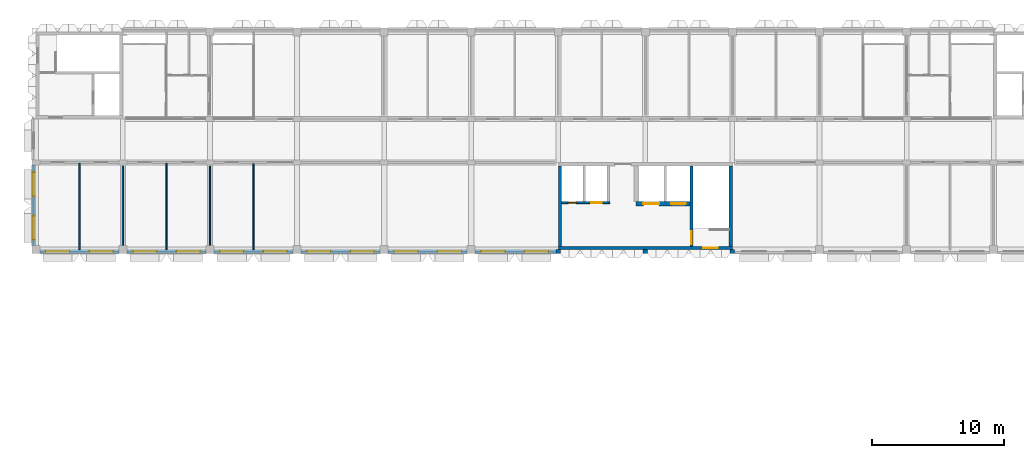
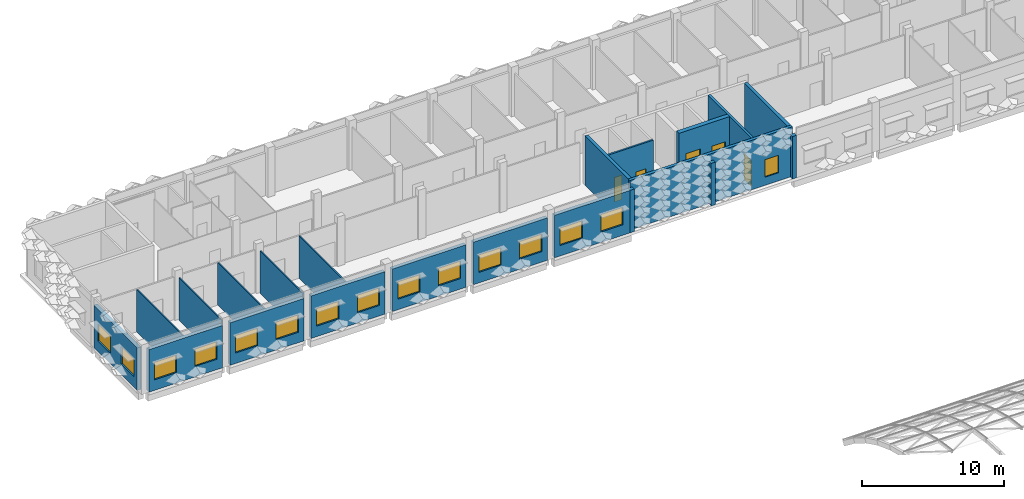
# One storey, part 31 of 85: 21 walls, 15 windows, 5 doors, 20 openings.
"""IFC4 building model written with IfcOpenShell, lengths in metres."""

from ifc_helpers import new_model, si_unit, direction, frame, frame_2d, origin, place, context, subcontext, project, spatial, rectangle, extrude, material, layer, layer_set, type_object, element, fill, save


model = new_model("IFC4")

# Units and contexts
model_context = context("Model", 3, precision=1e-05, world=origin(), true_north=direction((0.0, 1.0)))
body_context = subcontext(model_context, "Body", "Model", "MODEL_VIEW")
ifc_project = project(units=[si_unit("LENGTHUNIT", "METRE"), si_unit("AREAUNIT", "SQUARE_METRE"), si_unit("VOLUMEUNIT", "CUBIC_METRE"), si_unit("PLANEANGLEUNIT", "RADIAN"), si_unit("MASSUNIT", "GRAM", prefix="KILO")], contexts=[model_context])

# Site, building, storey
site_placement = place(None, origin())
site = spatial("IfcSite", under=ifc_project, at=site_placement, CompositionType="ELEMENT")
building_placement = place(site_placement, origin())
building = spatial("IfcBuilding", under=site, at=building_placement, Name="Lantern Court Research Institute", CompositionType="ELEMENT")
storey_placement = place(building_placement, frame((0.0, 0.0, 18.89990234375)))
storey = spatial("IfcBuildingStorey", under=building, at=storey_placement, Name="L04", CompositionType="ELEMENT", Elevation=18.89990234375)

# Walls
ifc_material_1 = material(Name="Concrete C30/37", Category="concrete")
ifc_layer_1 = layer(ifc_material_1, 0.300048828125)
ifc_layer_set_1 = layer_set([ifc_layer_1], Name="Concrete C30/37")
wall_type_1 = type_object("IfcWallType", Name="Insulated concrete infill wall 300", PredefinedType="STANDARD", material=ifc_layer_set_1)
wall_1_placement = place(storey_placement, frame((39.77490234375, 82.35009765625, 0.0), z_axis=(0.0, 0.0, 1.0), x_axis=(-1.0, 0.0, 0.0)))
element("IfcWall", 1, at=wall_1_placement, inside=storey, type_object=wall_type_1, Name="Exterior wall EW215", PredefinedType="STANDARD", context=body_context, shape_type="SweptSolid", body=[
    extrude(rectangle(XDim=0.349853515625, YDim=0.300048828125, at=frame_2d((0.1748046875, 0.0))), origin(), (0.0, 0.0, 1.0), 3.650146484375),
])
for number, where, z_axis, x_axis, name in (
    (2, (46.375, 82.35009765625, 0.0), (0.0, 0.0, 1.0), (-1.0, 0.0, 0.0), "Exterior wall EW216"),
    (3, (52.97509765625, 82.35009765625, 0.0), (0.0, 0.0, 1.0), (-1.0, 0.0, 0.0), "Exterior wall EW217"),
):
    element("IfcWall", number, at=place(storey_placement, frame(where, z_axis=z_axis, x_axis=x_axis)), inside=storey, type_object=wall_type_1, Name=name, PredefinedType="STANDARD", context=body_context, shape_type="SweptSolid", body=[
        extrude(rectangle(XDim=0.35009765625, YDim=0.300048828125, at=frame_2d((0.175048828125, 0.0))), origin(), (0.0, 0.0, 1.0), 3.650146484375),
    ])

# Wall, openings, windows
wall_2_placement = place(storey_placement, frame((6.300048828125, 82.35009765625, 0.0), z_axis=(0.0, 0.0, 1.0), x_axis=(-1.0, 0.0, 0.0)))
wall_2 = element("IfcWall", 4, at=wall_2_placement, inside=storey, type_object=wall_type_1, Name="Exterior wall EW218", PredefinedType="STANDARD", context=body_context, shape_type="SweptSolid", body=[
    extrude(rectangle(XDim=6.0, YDim=0.300048828125, at=frame_2d((3.0, 0.0))), origin(), (0.0, 0.0, 1.0), 3.650146484375),
])
opening_1_placement = place(wall_2_placement, frame((3.75, 0.0, 0.89990234375)))
opening_1 = element("IfcOpeningElement", 5, at=opening_1_placement, cuts=wall_2, Name="Opening W14", PredefinedType="OPENING", context=body_context, shape_type="SweptSolid", body=[
    extrude(rectangle(XDim=1.800048828125, YDim=1.5, at=frame_2d((0.89990234375, 0.75))), frame((0.0, 0.159912109375, 0.0), z_axis=(0.0, -1.0, 0.0), x_axis=(1.0, 0.0, 0.0)), (0.0, 0.0, 1.0), 0.320068359375),
])
opening_2_placement = place(wall_2_placement, frame((0.449951171875, 0.0, 0.89990234375)))
opening_2 = element("IfcOpeningElement", 6, at=opening_2_placement, cuts=wall_2, Name="Opening W14", PredefinedType="OPENING", context=body_context, shape_type="SweptSolid", body=[
    extrude(rectangle(XDim=1.800048828125, YDim=1.5, at=frame_2d((0.89990234375, 0.75))), frame((0.0, 0.159912109375, 0.0), z_axis=(0.0, -1.0, 0.0), x_axis=(1.0, 0.0, 0.0)), (0.0, 0.0, 1.0), 0.320068359375),
])
ifc_material_2 = material(Name="Aluminium frame with laminated low-emissivity glazing", Category="aluminium")
window_type_1 = type_object("IfcWindowType", Name="Office window 1800 x 1500", PartitioningType="SINGLE_PANEL", PredefinedType="WINDOW", material=ifc_material_2)
window_1_placement = place(opening_1_placement, origin())
window_1 = element("IfcWindow", 7, at=window_1_placement, inside=storey, type_object=window_type_1, Name="Window W14 V6S L04", OverallHeight=1.5, OverallWidth=1.800048828125, PartitioningType="SINGLE_PANEL", PredefinedType="WINDOW", context=body_context, shape_type="SweptSolid", body=[
    extrude(rectangle(XDim=1.800048828125, YDim=1.5, at=frame_2d((0.89990234375, 0.75))), frame((0.0, 0.030029296875, 0.0), z_axis=(0.0, -1.0, 0.0), x_axis=(1.0, 0.0, 0.0)), (0.0, 0.0, 1.0), 0.06005859375),
])
fill(opening_1, window_1)
window_2_placement = place(opening_2_placement, origin())
window_2 = element("IfcWindow", 8, at=window_2_placement, inside=storey, type_object=window_type_1, Name="Window W14 V6S L04", OverallHeight=1.5, OverallWidth=1.800048828125, PartitioningType="SINGLE_PANEL", PredefinedType="WINDOW", context=body_context, shape_type="SweptSolid", body=[
    extrude(rectangle(XDim=1.800048828125, YDim=1.5, at=frame_2d((0.89990234375, 0.75))), frame((0.0, 0.030029296875, 0.0), z_axis=(0.0, -1.0, 0.0), x_axis=(1.0, 0.0, 0.0)), (0.0, 0.0, 1.0), 0.06005859375),
])
fill(opening_2, window_2)

wall_3_placement = place(storey_placement, frame((12.89990234375, 82.35009765625, 0.0), z_axis=(0.0, 0.0, 1.0), x_axis=(-1.0, 0.0, 0.0)))
wall_3 = element("IfcWall", 9, at=wall_3_placement, inside=storey, type_object=wall_type_1, Name="Exterior wall EW219", PredefinedType="STANDARD", context=body_context, shape_type="SweptSolid", body=[
    extrude(rectangle(XDim=6.0, YDim=0.300048828125, at=frame_2d((3.0, 0.0))), origin(), (0.0, 0.0, 1.0), 3.650146484375),
])
opening_3_placement = place(wall_3_placement, frame((3.75, 0.0, 0.89990234375)))
opening_3 = element("IfcOpeningElement", 10, at=opening_3_placement, cuts=wall_3, Name="Opening W14", PredefinedType="OPENING", context=body_context, shape_type="SweptSolid", body=[
    extrude(rectangle(XDim=1.800048828125, YDim=1.5, at=frame_2d((0.89990234375, 0.75))), frame((0.0, 0.159912109375, 0.0), z_axis=(0.0, -1.0, 0.0), x_axis=(1.0, 0.0, 0.0)), (0.0, 0.0, 1.0), 0.320068359375),
])
opening_4_placement = place(wall_3_placement, frame((0.449951171875, 0.0, 0.89990234375)))
opening_4 = element("IfcOpeningElement", 11, at=opening_4_placement, cuts=wall_3, Name="Opening W14", PredefinedType="OPENING", context=body_context, shape_type="SweptSolid", body=[
    extrude(rectangle(XDim=1.800048828125, YDim=1.5, at=frame_2d((0.89990234375, 0.75))), frame((0.0, 0.159912109375, 0.0), z_axis=(0.0, -1.0, 0.0), x_axis=(1.0, 0.0, 0.0)), (0.0, 0.0, 1.0), 0.320068359375),
])
window_3_placement = place(opening_3_placement, origin())
window_3 = element("IfcWindow", 12, at=window_3_placement, inside=storey, type_object=window_type_1, Name="Window W14 V6S L04", OverallHeight=1.5, OverallWidth=1.800048828125, PartitioningType="SINGLE_PANEL", PredefinedType="WINDOW", context=body_context, shape_type="SweptSolid", body=[
    extrude(rectangle(XDim=1.800048828125, YDim=1.5, at=frame_2d((0.89990234375, 0.75))), frame((0.0, 0.030029296875, 0.0), z_axis=(0.0, -1.0, 0.0), x_axis=(1.0, 0.0, 0.0)), (0.0, 0.0, 1.0), 0.06005859375),
])
fill(opening_3, window_3)
window_4_placement = place(opening_4_placement, origin())
window_4 = element("IfcWindow", 13, at=window_4_placement, inside=storey, type_object=window_type_1, Name="Window W14 V6S L04", OverallHeight=1.5, OverallWidth=1.800048828125, PartitioningType="SINGLE_PANEL", PredefinedType="WINDOW", context=body_context, shape_type="SweptSolid", body=[
    extrude(rectangle(XDim=1.800048828125, YDim=1.5, at=frame_2d((0.89990234375, 0.75))), frame((0.0, 0.030029296875, 0.0), z_axis=(0.0, -1.0, 0.0), x_axis=(1.0, 0.0, 0.0)), (0.0, 0.0, 1.0), 0.06005859375),
])
fill(opening_4, window_4)

wall_4_placement = place(storey_placement, frame((19.5, 82.35009765625, 0.0), z_axis=(0.0, 0.0, 1.0), x_axis=(-1.0, 0.0, 0.0)))
wall_4 = element("IfcWall", 14, at=wall_4_placement, inside=storey, type_object=wall_type_1, Name="Exterior wall EW220", PredefinedType="STANDARD", context=body_context, shape_type="SweptSolid", body=[
    extrude(rectangle(XDim=6.0, YDim=0.300048828125, at=frame_2d((3.0, 0.0))), origin(), (0.0, 0.0, 1.0), 3.650146484375),
])
opening_5_placement = place(wall_4_placement, frame((3.75, 0.0, 0.89990234375)))
opening_5 = element("IfcOpeningElement", 15, at=opening_5_placement, cuts=wall_4, Name="Opening W14", PredefinedType="OPENING", context=body_context, shape_type="SweptSolid", body=[
    extrude(rectangle(XDim=1.800048828125, YDim=1.5, at=frame_2d((0.89990234375, 0.75))), frame((0.0, 0.159912109375, 0.0), z_axis=(0.0, -1.0, 0.0), x_axis=(1.0, 0.0, 0.0)), (0.0, 0.0, 1.0), 0.320068359375),
])
opening_6_placement = place(wall_4_placement, frame((0.449951171875, 0.0, 0.89990234375)))
opening_6 = element("IfcOpeningElement", 16, at=opening_6_placement, cuts=wall_4, Name="Opening W14", PredefinedType="OPENING", context=body_context, shape_type="SweptSolid", body=[
    extrude(rectangle(XDim=1.800048828125, YDim=1.5, at=frame_2d((0.89990234375, 0.75))), frame((0.0, 0.159912109375, 0.0), z_axis=(0.0, -1.0, 0.0), x_axis=(1.0, 0.0, 0.0)), (0.0, 0.0, 1.0), 0.320068359375),
])
window_5_placement = place(opening_5_placement, origin())
window_5 = element("IfcWindow", 17, at=window_5_placement, inside=storey, type_object=window_type_1, Name="Window W14 V6S L04", OverallHeight=1.5, OverallWidth=1.800048828125, PartitioningType="SINGLE_PANEL", PredefinedType="WINDOW", context=body_context, shape_type="SweptSolid", body=[
    extrude(rectangle(XDim=1.800048828125, YDim=1.5, at=frame_2d((0.89990234375, 0.75))), frame((0.0, 0.030029296875, 0.0), z_axis=(0.0, -1.0, 0.0), x_axis=(1.0, 0.0, 0.0)), (0.0, 0.0, 1.0), 0.06005859375),
])
fill(opening_5, window_5)
window_6_placement = place(opening_6_placement, origin())
window_6 = element("IfcWindow", 18, at=window_6_placement, inside=storey, type_object=window_type_1, Name="Window W14 V6S L04", OverallHeight=1.5, OverallWidth=1.800048828125, PartitioningType="SINGLE_PANEL", PredefinedType="WINDOW", context=body_context, shape_type="SweptSolid", body=[
    extrude(rectangle(XDim=1.800048828125, YDim=1.5, at=frame_2d((0.89990234375, 0.75))), frame((0.0, 0.030029296875, 0.0), z_axis=(0.0, -1.0, 0.0), x_axis=(1.0, 0.0, 0.0)), (0.0, 0.0, 1.0), 0.06005859375),
])
fill(opening_6, window_6)

wall_5_placement = place(storey_placement, frame((26.10009765625, 82.35009765625, 0.0), z_axis=(0.0, 0.0, 1.0), x_axis=(-1.0, 0.0, 0.0)))
wall_5 = element("IfcWall", 19, at=wall_5_placement, inside=storey, type_object=wall_type_1, Name="Exterior wall EW221", PredefinedType="STANDARD", context=body_context, shape_type="SweptSolid", body=[
    extrude(rectangle(XDim=6.0, YDim=0.300048828125, at=frame_2d((3.0, 0.0))), origin(), (0.0, 0.0, 1.0), 3.650146484375),
])
opening_7_placement = place(wall_5_placement, frame((3.75, 0.0, 0.89990234375)))
opening_7 = element("IfcOpeningElement", 20, at=opening_7_placement, cuts=wall_5, Name="Opening W14", PredefinedType="OPENING", context=body_context, shape_type="SweptSolid", body=[
    extrude(rectangle(XDim=1.800048828125, YDim=1.5, at=frame_2d((0.89990234375, 0.75))), frame((0.0, 0.159912109375, 0.0), z_axis=(0.0, -1.0, 0.0), x_axis=(1.0, 0.0, 0.0)), (0.0, 0.0, 1.0), 0.320068359375),
])
opening_8_placement = place(wall_5_placement, frame((0.449951171875, 0.0, 0.89990234375)))
opening_8 = element("IfcOpeningElement", 21, at=opening_8_placement, cuts=wall_5, Name="Opening W14", PredefinedType="OPENING", context=body_context, shape_type="SweptSolid", body=[
    extrude(rectangle(XDim=1.800048828125, YDim=1.5, at=frame_2d((0.89990234375, 0.75))), frame((0.0, 0.159912109375, 0.0), z_axis=(0.0, -1.0, 0.0), x_axis=(1.0, 0.0, 0.0)), (0.0, 0.0, 1.0), 0.320068359375),
])
window_7_placement = place(opening_7_placement, origin())
window_7 = element("IfcWindow", 22, at=window_7_placement, inside=storey, type_object=window_type_1, Name="Window W14 V6S L04", OverallHeight=1.5, OverallWidth=1.800048828125, PartitioningType="SINGLE_PANEL", PredefinedType="WINDOW", context=body_context, shape_type="SweptSolid", body=[
    extrude(rectangle(XDim=1.800048828125, YDim=1.5, at=frame_2d((0.89990234375, 0.75))), frame((0.0, 0.030029296875, 0.0), z_axis=(0.0, -1.0, 0.0), x_axis=(1.0, 0.0, 0.0)), (0.0, 0.0, 1.0), 0.06005859375),
])
fill(opening_7, window_7)
window_8_placement = place(opening_8_placement, origin())
window_8 = element("IfcWindow", 23, at=window_8_placement, inside=storey, type_object=window_type_1, Name="Window W14 V6S L04", OverallHeight=1.5, OverallWidth=1.800048828125, PartitioningType="SINGLE_PANEL", PredefinedType="WINDOW", context=body_context, shape_type="SweptSolid", body=[
    extrude(rectangle(XDim=1.800048828125, YDim=1.5, at=frame_2d((0.89990234375, 0.75))), frame((0.0, 0.030029296875, 0.0), z_axis=(0.0, -1.0, 0.0), x_axis=(1.0, 0.0, 0.0)), (0.0, 0.0, 1.0), 0.06005859375),
])
fill(opening_8, window_8)

wall_6_placement = place(storey_placement, frame((32.699951171875, 82.35009765625, 0.0), z_axis=(0.0, 0.0, 1.0), x_axis=(-1.0, 0.0, 0.0)))
wall_6 = element("IfcWall", 24, at=wall_6_placement, inside=storey, type_object=wall_type_1, Name="Exterior wall EW222", PredefinedType="STANDARD", context=body_context, shape_type="SweptSolid", body=[
    extrude(rectangle(XDim=6.0, YDim=0.300048828125, at=frame_2d((3.0, 0.0))), origin(), (0.0, 0.0, 1.0), 3.650146484375),
])
opening_9_placement = place(wall_6_placement, frame((3.75, 0.0, 0.89990234375)))
opening_9 = element("IfcOpeningElement", 25, at=opening_9_placement, cuts=wall_6, Name="Opening W14", PredefinedType="OPENING", context=body_context, shape_type="SweptSolid", body=[
    extrude(rectangle(XDim=1.800048828125, YDim=1.5, at=frame_2d((0.89990234375, 0.75))), frame((0.0, 0.159912109375, 0.0), z_axis=(0.0, -1.0, 0.0), x_axis=(1.0, 0.0, 0.0)), (0.0, 0.0, 1.0), 0.320068359375),
])
opening_10_placement = place(wall_6_placement, frame((0.449951171875, 0.0, 0.89990234375)))
opening_10 = element("IfcOpeningElement", 26, at=opening_10_placement, cuts=wall_6, Name="Opening W14", PredefinedType="OPENING", context=body_context, shape_type="SweptSolid", body=[
    extrude(rectangle(XDim=1.800048828125, YDim=1.5, at=frame_2d((0.89990234375, 0.75))), frame((0.0, 0.159912109375, 0.0), z_axis=(0.0, -1.0, 0.0), x_axis=(1.0, 0.0, 0.0)), (0.0, 0.0, 1.0), 0.320068359375),
])
window_9_placement = place(opening_9_placement, origin())
window_9 = element("IfcWindow", 27, at=window_9_placement, inside=storey, type_object=window_type_1, Name="Window W14 V6S L04", OverallHeight=1.5, OverallWidth=1.800048828125, PartitioningType="SINGLE_PANEL", PredefinedType="WINDOW", context=body_context, shape_type="SweptSolid", body=[
    extrude(rectangle(XDim=1.800048828125, YDim=1.5, at=frame_2d((0.89990234375, 0.75))), frame((0.0, 0.030029296875, 0.0), z_axis=(0.0, -1.0, 0.0), x_axis=(1.0, 0.0, 0.0)), (0.0, 0.0, 1.0), 0.06005859375),
])
fill(opening_9, window_9)
window_10_placement = place(opening_10_placement, origin())
window_10 = element("IfcWindow", 28, at=window_10_placement, inside=storey, type_object=window_type_1, Name="Window W14 V6S L04", OverallHeight=1.5, OverallWidth=1.800048828125, PartitioningType="SINGLE_PANEL", PredefinedType="WINDOW", context=body_context, shape_type="SweptSolid", body=[
    extrude(rectangle(XDim=1.800048828125, YDim=1.5, at=frame_2d((0.89990234375, 0.75))), frame((0.0, 0.030029296875, 0.0), z_axis=(0.0, -1.0, 0.0), x_axis=(1.0, 0.0, 0.0)), (0.0, 0.0, 1.0), 0.06005859375),
])
fill(opening_10, window_10)

wall_7_placement = place(storey_placement, frame((39.425048828125, 82.35009765625, 0.0), z_axis=(0.0, 0.0, 1.0), x_axis=(-1.0, 0.0, 0.0)))
wall_7 = element("IfcWall", 29, at=wall_7_placement, inside=storey, type_object=wall_type_1, Name="Exterior wall EW223", PredefinedType="STANDARD", context=body_context, shape_type="SweptSolid", body=[
    extrude(rectangle(XDim=6.125, YDim=0.300048828125, at=frame_2d((3.0625, 0.0))), origin(), (0.0, 0.0, 1.0), 3.650146484375),
])
opening_11_placement = place(wall_7_placement, frame((3.875, 0.0, 0.89990234375)))
opening_11 = element("IfcOpeningElement", 30, at=opening_11_placement, cuts=wall_7, Name="Opening W14", PredefinedType="OPENING", context=body_context, shape_type="SweptSolid", body=[
    extrude(rectangle(XDim=1.800048828125, YDim=1.5, at=frame_2d((0.89990234375, 0.75))), frame((0.0, 0.159912109375, 0.0), z_axis=(0.0, -1.0, 0.0), x_axis=(1.0, 0.0, 0.0)), (0.0, 0.0, 1.0), 0.320068359375),
])
opening_12_placement = place(wall_7_placement, frame((0.574951171875, 0.0, 0.89990234375)))
opening_12 = element("IfcOpeningElement", 31, at=opening_12_placement, cuts=wall_7, Name="Opening W14", PredefinedType="OPENING", context=body_context, shape_type="SweptSolid", body=[
    extrude(rectangle(XDim=1.800048828125, YDim=1.5, at=frame_2d((0.89990234375, 0.75))), frame((0.0, 0.159912109375, 0.0), z_axis=(0.0, -1.0, 0.0), x_axis=(1.0, 0.0, 0.0)), (0.0, 0.0, 1.0), 0.320068359375),
])
window_11_placement = place(opening_11_placement, origin())
window_11 = element("IfcWindow", 32, at=window_11_placement, inside=storey, type_object=window_type_1, Name="Window W14 V6S L04", OverallHeight=1.5, OverallWidth=1.800048828125, PartitioningType="SINGLE_PANEL", PredefinedType="WINDOW", context=body_context, shape_type="SweptSolid", body=[
    extrude(rectangle(XDim=1.800048828125, YDim=1.5, at=frame_2d((0.89990234375, 0.75))), frame((0.0, 0.030029296875, 0.0), z_axis=(0.0, -1.0, 0.0), x_axis=(1.0, 0.0, 0.0)), (0.0, 0.0, 1.0), 0.06005859375),
])
fill(opening_11, window_11)
window_12_placement = place(opening_12_placement, origin())
window_12 = element("IfcWindow", 33, at=window_12_placement, inside=storey, type_object=window_type_1, Name="Window W14 V6S L04", OverallHeight=1.5, OverallWidth=1.800048828125, PartitioningType="SINGLE_PANEL", PredefinedType="WINDOW", context=body_context, shape_type="SweptSolid", body=[
    extrude(rectangle(XDim=1.800048828125, YDim=1.5, at=frame_2d((0.89990234375, 0.75))), frame((0.0, 0.030029296875, 0.0), z_axis=(0.0, -1.0, 0.0), x_axis=(1.0, 0.0, 0.0)), (0.0, 0.0, 1.0), 0.06005859375),
])
fill(opening_12, window_12)

wall_8_placement = place(storey_placement, frame((-0.14990234375, 82.800048828125, 0.0), z_axis=(0.0, 0.0, 1.0), x_axis=(0.0, 1.0, 0.0)))
wall_8 = element("IfcWall", 34, at=wall_8_placement, inside=storey, type_object=wall_type_1, Name="Exterior wall EW228", PredefinedType="STANDARD", context=body_context, shape_type="SweptSolid", body=[
    extrude(rectangle(XDim=6.099853515625, YDim=0.300048828125, at=frame_2d((3.0498046875, 0.0))), origin(), (0.0, 0.0, 1.0), 3.650146484375),
])
opening_13_placement = place(wall_8_placement, frame((0.449951171875, 0.0, 0.89990234375)))
opening_13 = element("IfcOpeningElement", 35, at=opening_13_placement, cuts=wall_8, Name="Opening W14", PredefinedType="OPENING", context=body_context, shape_type="SweptSolid", body=[
    extrude(rectangle(XDim=1.800048828125, YDim=1.5, at=frame_2d((0.89990234375, 0.75))), frame((0.0, 0.159912109375, 0.0), z_axis=(0.0, -1.0, 0.0), x_axis=(1.0, 0.0, 0.0)), (0.0, 0.0, 1.0), 0.320068359375),
])
opening_14_placement = place(wall_8_placement, frame((3.75, 0.0, 0.89990234375)))
opening_14 = element("IfcOpeningElement", 36, at=opening_14_placement, cuts=wall_8, Name="Opening W14", PredefinedType="OPENING", context=body_context, shape_type="SweptSolid", body=[
    extrude(rectangle(XDim=1.800048828125, YDim=1.5, at=frame_2d((0.89990234375, 0.75))), frame((0.0, 0.159912109375, 0.0), z_axis=(0.0, -1.0, 0.0), x_axis=(1.0, 0.0, 0.0)), (0.0, 0.0, 1.0), 0.320068359375),
])
window_13_placement = place(opening_13_placement, origin())
window_13 = element("IfcWindow", 37, at=window_13_placement, inside=storey, type_object=window_type_1, Name="Window W14 V6W L04", OverallHeight=1.5, OverallWidth=1.800048828125, PartitioningType="SINGLE_PANEL", PredefinedType="WINDOW", context=body_context, shape_type="SweptSolid", body=[
    extrude(rectangle(XDim=1.800048828125, YDim=1.5, at=frame_2d((0.89990234375, 0.75))), frame((0.0, 0.030029296875, 0.0), z_axis=(0.0, -1.0, 0.0), x_axis=(1.0, 0.0, 0.0)), (0.0, 0.0, 1.0), 0.06005859375),
])
fill(opening_13, window_13)
window_14_placement = place(opening_14_placement, origin())
window_14 = element("IfcWindow", 38, at=window_14_placement, inside=storey, type_object=window_type_1, Name="Window W14 V6W L04", OverallHeight=1.5, OverallWidth=1.800048828125, PartitioningType="SINGLE_PANEL", PredefinedType="WINDOW", context=body_context, shape_type="SweptSolid", body=[
    extrude(rectangle(XDim=1.800048828125, YDim=1.5, at=frame_2d((0.89990234375, 0.75))), frame((0.0, 0.030029296875, 0.0), z_axis=(0.0, -1.0, 0.0), x_axis=(1.0, 0.0, 0.0)), (0.0, 0.0, 1.0), 0.06005859375),
])
fill(opening_14, window_14)

# Walls
ifc_material_3 = material(Name="Gypsum board on metal studs")
ifc_layer_2 = layer(ifc_material_3, 0.10009765625)
ifc_layer_set_2 = layer_set([ifc_layer_2], Name="Gypsum board on metal studs")
wall_type_2 = type_object("IfcWallType", Name="Partition 100 mm", PredefinedType="PARTITIONING", material=ifc_layer_set_2)
wall_9_placement = place(storey_placement, frame((3.300048828125, 82.5, 0.0), z_axis=(0.0, 0.0, 1.0), x_axis=(0.0, 1.0, 0.0)))
element("IfcWall", 39, at=wall_9_placement, inside=storey, type_object=wall_type_2, Name="Wall V6-L04-032", PredefinedType="PARTITIONING", context=body_context, shape_type="SweptSolid", body=[
    extrude(rectangle(XDim=6.537109375, YDim=0.10009765625, at=frame_2d((3.2685546875, 0.0))), origin(), (0.0, 0.0, 1.0), 3.650146484375),
])
wall_10_placement = place(storey_placement, frame((6.60009765625, 82.800048828125, 0.0), z_axis=(0.0, 0.0, 1.0), x_axis=(0.0, 1.0, 0.0)))
element("IfcWall", 40, at=wall_10_placement, inside=storey, type_object=wall_type_2, Name="Wall V6-L04-033", PredefinedType="PARTITIONING", context=body_context, shape_type="SweptSolid", body=[
    extrude(rectangle(XDim=6.0, YDim=0.10009765625, at=frame_2d((3.0, 0.0))), origin(), (0.0, 0.0, 1.0), 3.650146484375),
])
wall_11_placement = place(storey_placement, frame((9.89990234375, 82.5, 0.0), z_axis=(0.0, 0.0, 1.0), x_axis=(0.0, 1.0, 0.0)))
element("IfcWall", 41, at=wall_11_placement, inside=storey, type_object=wall_type_2, Name="Wall V6-L04-034", PredefinedType="PARTITIONING", context=body_context, shape_type="SweptSolid", body=[
    extrude(rectangle(XDim=6.537109375, YDim=0.10009765625, at=frame_2d((3.2685546875, 0.0))), origin(), (0.0, 0.0, 1.0), 3.650146484375),
])
wall_12_placement = place(storey_placement, frame((13.199951171875, 82.800048828125, 0.0), z_axis=(0.0, 0.0, 1.0), x_axis=(0.0, 1.0, 0.0)))
element("IfcWall", 42, at=wall_12_placement, inside=storey, type_object=wall_type_2, Name="Wall V6-L04-038", PredefinedType="PARTITIONING", context=body_context, shape_type="SweptSolid", body=[
    extrude(rectangle(XDim=6.0, YDim=0.10009765625, at=frame_2d((3.0, 0.0))), origin(), (0.0, 0.0, 1.0), 3.650146484375),
])
wall_13_placement = place(storey_placement, frame((16.5, 82.5, 0.0), z_axis=(0.0, 0.0, 1.0), x_axis=(0.0, 1.0, 0.0)))
element("IfcWall", 43, at=wall_13_placement, inside=storey, type_object=wall_type_2, Name="Wall V6-L04-041", PredefinedType="PARTITIONING", context=body_context, shape_type="SweptSolid", body=[
    extrude(rectangle(XDim=6.537109375, YDim=0.10009765625, at=frame_2d((3.2685546875, 0.0))), origin(), (0.0, 0.0, 1.0), 3.650146484375),
])
ifc_material_4 = material(Name="Concrete C40/50", Category="concrete")
ifc_layer_3 = layer(ifc_material_4, 0.25)
ifc_layer_set_3 = layer_set([ifc_layer_3], Name="Concrete C40/50")
wall_type_3 = type_object("IfcWallType", Name="RC core wall 250", PredefinedType="SHEAR", material=ifc_layer_set_3)
for number, where, z_axis, x_axis, name in (
    (44, (52.675048828125, 88.85009765625, 0.0), (0.0, 0.0, 1.0), (0.0, -1.0, 0.0), "East wall of core WC-M"),
    (45, (39.72509765625, 88.85009765625, 0.0), (0.0, 0.0, 1.0), (0.0, -1.0, 0.0), "West wall of core WC-M"),
):
    element("IfcWall", number, at=place(storey_placement, frame(where, z_axis=z_axis, x_axis=x_axis)), inside=storey, type_object=wall_type_3, Name=name, PredefinedType="SHEAR", context=body_context, shape_type="SweptSolid", body=[
        extrude(rectangle(XDim=6.10009765625, YDim=0.25, at=frame_2d((3.050048828125, 0.0))), origin(), (0.0, 0.0, 1.0), 4.25),
    ])

# Wall, opening, window
ifc_material_5 = material(Name="Concrete C40/50", Category="concrete")
ifc_layer_4 = layer(ifc_material_5, 0.25)
ifc_layer_set_4 = layer_set([ifc_layer_4], Name="Concrete C40/50")
wall_type_4 = type_object("IfcWallType", Name="RC core wall 250 facade", PredefinedType="SHEAR", material=ifc_layer_set_4)
wall_14_placement = place(storey_placement, frame((52.800048828125, 82.625, 0.0), z_axis=(0.0, 0.0, 1.0), x_axis=(-1.0, 0.0, 0.0)))
wall_14 = element("IfcWall", 46, at=wall_14_placement, inside=storey, type_object=wall_type_4, Name="South wall of core WC-M", PredefinedType="SHEAR", context=body_context, shape_type="SweptSolid", body=[
    extrude(rectangle(XDim=13.199951171875, YDim=0.25, at=frame_2d((6.60009765625, 0.0))), origin(), (0.0, 0.0, 1.0), 4.25),
])
opening_15_placement = place(wall_14_placement, frame((1.125, 0.0, 0.699951171875)))
opening_15 = element("IfcOpeningElement", 47, at=opening_15_placement, cuts=wall_14, Name="Opening W5", PredefinedType="OPENING", context=body_context, shape_type="SweptSolid", body=[
    extrude(rectangle(XDim=1.10009765625, YDim=1.5, at=frame_2d((0.550048828125, 0.75))), frame((0.0, 0.135009765625, 0.0), z_axis=(0.0, -1.0, 0.0), x_axis=(1.0, 0.0, 0.0)), (0.0, 0.0, 1.0), 0.27001953125),
])
ifc_material_6 = material(Name="Aluminium alloy 6063-T6 frame with laminated glass", Category="aluminium")
window_type_2 = type_object("IfcWindowType", Name="Stair window 1100 x 1500", PartitioningType="SINGLE_PANEL", PredefinedType="WINDOW", material=ifc_material_6)
window_15_placement = place(opening_15_placement, origin())
window_15 = element("IfcWindow", 48, at=window_15_placement, inside=storey, type_object=window_type_2, Name="Stair window", OverallHeight=1.5, OverallWidth=1.10009765625, PartitioningType="SINGLE_PANEL", PredefinedType="WINDOW", context=body_context, shape_type="SweptSolid", body=[
    extrude(rectangle(XDim=1.10009765625, YDim=1.5, at=frame_2d((0.550048828125, 0.75))), frame((0.0, 0.030029296875, 0.0), z_axis=(0.0, -1.0, 0.0), x_axis=(1.0, 0.0, 0.0)), (0.0, 0.0, 1.0), 0.06005859375),
])
fill(opening_15, window_15)

# Wall, openings, doors
ifc_material_7 = material(Name="Concrete C40/50", Category="concrete")
ifc_layer_5 = layer(ifc_material_7, 0.14990234375)
ifc_layer_set_5 = layer_set([ifc_layer_5], Name="Concrete C40/50")
wall_type_5 = type_object("IfcWallType", Name="RC shaft wall 150", PredefinedType="SHEAR", material=ifc_layer_set_5)
wall_15_placement = place(storey_placement, frame((43.5, 86.050048828125, 0.0), z_axis=(0.0, 0.0, 1.0), x_axis=(-1.0, 0.0, 0.0)))
wall_15 = element("IfcWall", 49, at=wall_15_placement, inside=storey, type_object=wall_type_5, Name="Riser wall of core WC-M", PredefinedType="SHEAR", context=body_context, shape_type="SweptSolid", body=[
    extrude(rectangle(XDim=3.64990234375, YDim=0.14990234375, at=frame_2d((1.824951171875, 0.0))), origin(), (0.0, 0.0, 1.0), 4.25),
])
opening_16_placement = place(wall_15_placement, frame((0.612548828125, 0.0, 0.0)))
opening_16 = element("IfcOpeningElement", 50, at=opening_16_placement, cuts=wall_15, Name="Opening D7249", PredefinedType="OPENING", context=body_context, shape_type="SweptSolid", body=[
    extrude(rectangle(XDim=0.800048828125, YDim=2.0, at=frame_2d((0.39990234375, 1.0))), frame((0.0, 0.0849609375, 0.0), z_axis=(0.0, -1.0, 0.0), x_axis=(1.0, 0.0, 0.0)), (0.0, 0.0, 1.0), 0.169921875),
])
opening_17_placement = place(wall_15_placement, frame((2.53759765625, 0.0, 0.0)))
opening_17 = element("IfcOpeningElement", 51, at=opening_17_placement, cuts=wall_15, Name="Opening D7250", PredefinedType="OPENING", context=body_context, shape_type="SweptSolid", body=[
    extrude(rectangle(XDim=0.60009765625, YDim=2.10009765625, at=frame_2d((0.300048828125, 1.050048828125))), frame((0.0, 0.0849609375, 0.0), z_axis=(0.0, -1.0, 0.0), x_axis=(1.0, 0.0, 0.0)), (0.0, 0.0, 1.0), 0.169921875),
])
ifc_material_8 = material(Name="Steel fire door leaf", Category="steel")
door_type_1 = type_object("IfcDoorType", Name="Door 600 x 2100 fire rated FD60", OperationType="NOTDEFINED", PredefinedType="DOOR", material=ifc_material_8)
door_1_placement = place(opening_17_placement, origin())
door_1 = element("IfcDoor", 52, at=door_1_placement, inside=storey, type_object=door_type_1, Name="Riser door", OperationType="SINGLE_SWING_RIGHT", OverallHeight=2.10009765625, OverallWidth=0.60009765625, PredefinedType="DOOR", context=body_context, shape_type="SweptSolid", body=[
    extrude(rectangle(XDim=0.60009765625, YDim=2.10009765625, at=frame_2d((0.300048828125, 1.050048828125))), frame((0.0, 0.02490234375, 0.0), z_axis=(0.0, -1.0, 0.0), x_axis=(1.0, 0.0, 0.0)), (0.0, 0.0, 1.0), 0.050048828125),
])
fill(opening_17, door_1)
ifc_material_9 = material(Name="Steel fire door leaf", Category="steel")
door_type_2 = type_object("IfcDoorType", Name="Door 800 x 2000 fire rated FD60", OperationType="NOTDEFINED", PredefinedType="DOOR", material=ifc_material_9)
door_2_placement = place(opening_16_placement, origin())
door_2 = element("IfcDoor", 53, at=door_2_placement, inside=storey, type_object=door_type_2, Name="Riser door", OperationType="SINGLE_SWING_RIGHT", OverallHeight=2.0, OverallWidth=0.800048828125, PredefinedType="DOOR", context=body_context, shape_type="SweptSolid", body=[
    extrude(rectangle(XDim=0.800048828125, YDim=2.0, at=frame_2d((0.39990234375, 1.0))), frame((0.0, 0.02490234375, 0.0), z_axis=(0.0, -1.0, 0.0), x_axis=(1.0, 0.0, 0.0)), (0.0, 0.0, 1.0), 0.050048828125),
])
fill(opening_16, door_2)

# Wall, opening, door
ifc_material_10 = material(Name="Concrete C40/50", Category="concrete")
ifc_layer_6 = layer(ifc_material_10, 0.199951171875)
ifc_layer_set_6 = layer_set([ifc_layer_6], Name="Concrete C40/50")
wall_type_6 = type_object("IfcWallType", Name="RC shaft wall 200", PredefinedType="SHEAR", material=ifc_layer_set_6)
wall_16_placement = place(storey_placement, frame((49.699951171875, 88.85009765625, 0.0), z_axis=(0.0, 0.0, 1.0), x_axis=(0.0, -1.0, 0.0)))
wall_16 = element("IfcWall", 54, at=wall_16_placement, inside=storey, type_object=wall_type_6, Name="Stair wall of core WC-M", PredefinedType="SHEAR", context=body_context, shape_type="SweptSolid", body=[
    extrude(rectangle(XDim=6.10009765625, YDim=0.199951171875, at=frame_2d((3.050048828125, 0.0))), origin(), (0.0, 0.0, 1.0), 4.25),
])
opening_18_placement = place(wall_16_placement, frame((4.949951171875, 0.0, 0.0)))
opening_18 = element("IfcOpeningElement", 55, at=opening_18_placement, cuts=wall_16, Name="Opening D7251", PredefinedType="OPENING", context=body_context, shape_type="SweptSolid", body=[
    extrude(rectangle(XDim=1.0, YDim=2.199951171875, at=frame_2d((0.5, 1.10009765625))), frame((0.0, 0.10986328125, 0.0), z_axis=(0.0, -1.0, 0.0), x_axis=(1.0, 0.0, 0.0)), (0.0, 0.0, 1.0), 0.219970703125),
])
ifc_material_11 = material(Name="Steel fire door leaf with smoke seals", Category="steel")
door_type_3 = type_object("IfcDoorType", Name="Door 1000 x 2200 fire rated FD60S", OperationType="NOTDEFINED", PredefinedType="DOOR", material=ifc_material_11)
door_3_placement = place(opening_18_placement, origin())
door_3 = element("IfcDoor", 56, at=door_3_placement, inside=storey, type_object=door_type_3, Name="Stair door", OperationType="SINGLE_SWING_LEFT", OverallHeight=2.199951171875, OverallWidth=1.0, PredefinedType="DOOR", context=body_context, shape_type="SweptSolid", body=[
    extrude(rectangle(XDim=1.0, YDim=2.199951171875, at=frame_2d((0.5, 1.10009765625))), frame((0.0, 0.02490234375, 0.0), z_axis=(0.0, -1.0, 0.0), x_axis=(1.0, 0.0, 0.0)), (0.0, 0.0, 1.0), 0.050048828125),
])
fill(opening_18, door_3)

# Wall, openings, doors
ifc_material_12 = material(Name="Concrete C40/50", Category="concrete")
ifc_layer_7 = layer(ifc_material_12, 0.35009765625)
ifc_layer_set_7 = layer_set([ifc_layer_7], Name="Concrete C40/50")
wall_type_7 = type_object("IfcWallType", Name="RC shaft wall 350", PredefinedType="SHEAR", material=ifc_layer_set_7)
wall_17_placement = place(storey_placement, frame((49.60009765625, 85.97509765625, 0.0), z_axis=(0.0, 0.0, 1.0), x_axis=(-1.0, 0.0, 0.0)))
wall_17 = element("IfcWall", 57, at=wall_17_placement, inside=storey, type_object=wall_type_7, Name="Lift shaft wall of core WC-M", PredefinedType="SHEAR", context=body_context, shape_type="SweptSolid", body=[
    extrude(rectangle(XDim=4.10009765625, YDim=0.35009765625, at=frame_2d((2.050048828125, 0.0))), origin(), (0.0, 0.0, 1.0), 4.25),
])
opening_19_placement = place(wall_17_placement, frame((0.35009765625, 0.0, 0.0)))
opening_19 = element("IfcOpeningElement", 58, at=opening_19_placement, cuts=wall_17, Name="Opening D7252", PredefinedType="OPENING", context=body_context, shape_type="SweptSolid", body=[
    extrude(rectangle(XDim=1.10009765625, YDim=2.199951171875, at=frame_2d((0.550048828125, 1.10009765625))), frame((0.0, 0.18505859375, 0.0), z_axis=(0.0, -1.0, 0.0), x_axis=(1.0, 0.0, 0.0)), (0.0, 0.0, 1.0), 0.3701171875),
])
opening_20_placement = place(wall_17_placement, frame((2.35009765625, 0.0, 0.0)))
opening_20 = element("IfcOpeningElement", 59, at=opening_20_placement, cuts=wall_17, Name="Opening D7253", PredefinedType="OPENING", context=body_context, shape_type="SweptSolid", body=[
    extrude(rectangle(XDim=1.199951171875, YDim=2.300048828125, at=frame_2d((0.60009765625, 1.14990234375))), frame((0.0, 0.18505859375, 0.0), z_axis=(0.0, -1.0, 0.0), x_axis=(1.0, 0.0, 0.0)), (0.0, 0.0, 1.0), 0.3701171875),
])
ifc_material_13 = material(Name="Stainless steel landing door panels", Category="steel")
door_type_4 = type_object("IfcDoorType", Name="Lift landing door 1100 x 2200 sliding FD60", OperationType="DOUBLE_DOOR_SLIDING", PredefinedType="NOTDEFINED", material=ifc_material_13)
door_4_placement = place(opening_19_placement, origin())
door_4 = element("IfcDoor", 60, at=door_4_placement, inside=storey, type_object=door_type_4, Name="Landing door", OperationType="DOUBLE_DOOR_SLIDING", OverallHeight=2.199951171875, OverallWidth=1.10009765625, PredefinedType="NOTDEFINED", context=body_context, shape_type="SweptSolid", body=[
    extrude(rectangle(XDim=1.10009765625, YDim=2.199951171875, at=frame_2d((0.550048828125, 1.10009765625))), frame((0.0, 0.02490234375, 0.0), z_axis=(0.0, -1.0, 0.0), x_axis=(1.0, 0.0, 0.0)), (0.0, 0.0, 1.0), 0.050048828125),
])
fill(opening_19, door_4)
ifc_material_14 = material(Name="Stainless steel landing door panels", Category="steel")
door_type_5 = type_object("IfcDoorType", Name="Lift landing door 1200 x 2300 sliding FD60", OperationType="DOUBLE_DOOR_SLIDING", PredefinedType="NOTDEFINED", material=ifc_material_14)
door_5_placement = place(opening_20_placement, origin())
door_5 = element("IfcDoor", 61, at=door_5_placement, inside=storey, type_object=door_type_5, Name="Landing door", OperationType="DOUBLE_DOOR_SLIDING", OverallHeight=2.300048828125, OverallWidth=1.199951171875, PredefinedType="NOTDEFINED", context=body_context, shape_type="SweptSolid", body=[
    extrude(rectangle(XDim=1.199951171875, YDim=2.300048828125, at=frame_2d((0.60009765625, 1.14990234375))), frame((0.0, 0.02490234375, 0.0), z_axis=(0.0, -1.0, 0.0), x_axis=(1.0, 0.0, 0.0)), (0.0, 0.0, 1.0), 0.050048828125),
])
fill(opening_20, door_5)

save(model, "model.ifc")
